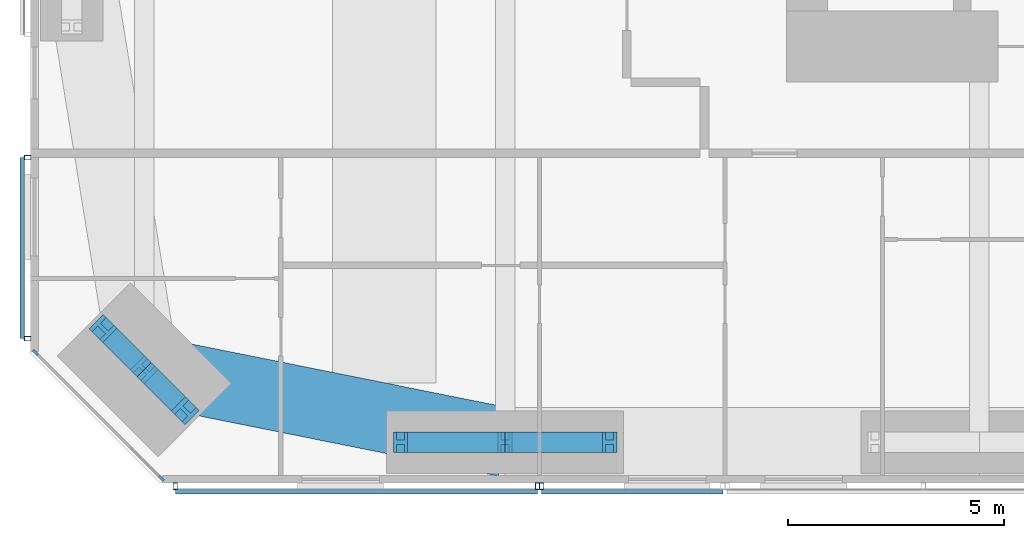
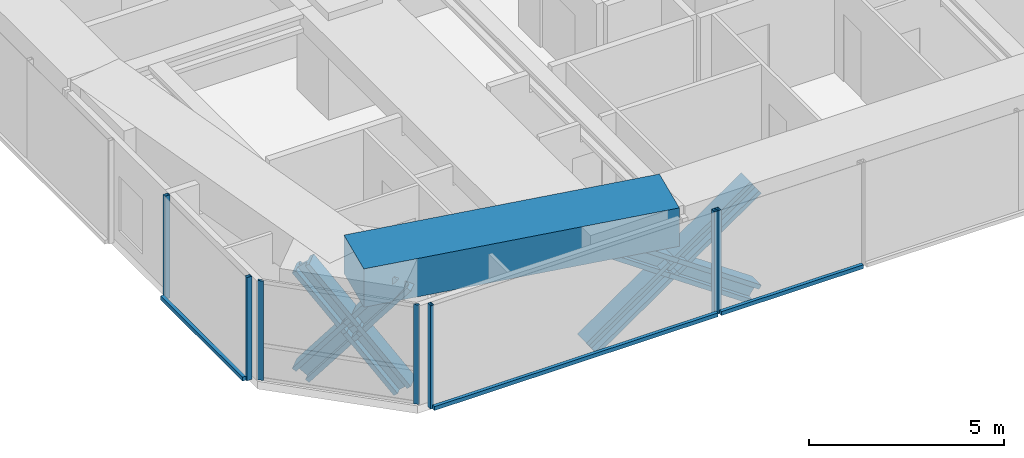
# One storey, part 2 of 24: 18 members, 1 beam, 4 elements without a shape of their own.
"""IFC4 building model written with IfcOpenShell, lengths in metres."""

from ifc_helpers import new_model, si_unit, direction, frame, origin, origin_2d, place, context, subcontext, project, spatial, rectangle, hollow_rectangle, i_section, extrude, material, material_profile, profile_set, type_object, element, aggregate, save


model = new_model("IFC4")

# Units and contexts
model_context = context("Model", 3, precision=1e-05, world=origin(), true_north=direction((0.0, 1.0)))
body_context = subcontext(model_context, "Body", "Model", "MODEL_VIEW")
ifc_project = project(units=[si_unit("LENGTHUNIT", "METRE"), si_unit("AREAUNIT", "SQUARE_METRE"), si_unit("VOLUMEUNIT", "CUBIC_METRE"), si_unit("PLANEANGLEUNIT", "RADIAN"), si_unit("MASSUNIT", "GRAM", prefix="KILO")], contexts=[model_context])

# Site, building, storey
site_placement = place(None, origin())
site = spatial("IfcSite", under=ifc_project, at=site_placement, CompositionType="ELEMENT")
building_placement = place(site_placement, origin())
building = spatial("IfcBuilding", under=site, at=building_placement, Name="Jalousie Tower", CompositionType="ELEMENT")
storey_placement = place(building_placement, frame((0.0, 0.0, 47.800048828125)))
storey = spatial("IfcBuildingStorey", under=building, at=storey_placement, Name="L12", CompositionType="ELEMENT", Elevation=47.800048828125)

# Curtain wall, members
ifc_material_1 = material(Name="Aluminium curtain wall", Category="aluminium")
curtain_wall_type_1 = type_object("IfcCurtainWallType", Name="CORNER WINDOW WALL", PredefinedType="USERDEFINED", material=ifc_material_1)
curtain_wall_1_placement = place(storey_placement, origin())
curtain_wall_1 = element("IfcCurtainWall", 1, at=curtain_wall_1_placement, inside=storey, type_object=curtain_wall_type_1, Name="Corner Window Wall L12 8", ObjectType="CORNER WINDOW WALL", PredefinedType="USERDEFINED")
ifc_material_2 = material(Name="Aluminium mullion", Category="aluminium")
ifc_material_profile_1 = material_profile(ifc_material_2, rectangle(XDim=0.06005859375, YDim=0.14990234375, at=origin_2d()), Name="MULLION 60x150")
ifc_profile_set_1 = profile_set([ifc_material_profile_1], Name="Aluminium mullion")
member_type_1 = type_object("IfcMemberType", Name="CORNER WINDOW WALL MULLION", PredefinedType="MULLION", material=ifc_profile_set_1)
member_1_placement = place(storey_placement, frame((2.108642578125, 3.030029296875, 0.0), z_axis=(0.0, 0.0, 1.0), x_axis=(0.707106781187, 0.707106781187, 0.0)))
member_1 = element("IfcMember", 2, at=member_1_placement, type_object=member_type_1, Name="CW-C mullion 1", PredefinedType="MULLION", context=body_context, shape_type="SweptSolid", body=[
    extrude(rectangle(XDim=0.06005859375, YDim=0.14990234375, at=origin_2d()), origin(), (0.0, 0.0, 1.0), 3.10986328125),
])
member_2_placement = place(storey_placement, frame((5.030029296875, 0.108642578125, 0.0), z_axis=(0.0, 0.0, 1.0), x_axis=(0.707106781187, 0.707106781187, 0.0)))
member_2 = element("IfcMember", 3, at=member_2_placement, type_object=member_type_1, Name="CW-C mullion 2", PredefinedType="MULLION", context=body_context, shape_type="SweptSolid", body=[
    extrude(rectangle(XDim=0.06005859375, YDim=0.14990234375, at=origin_2d()), origin(), (0.0, 0.0, 1.0), 3.10986328125),
])
aggregate(curtain_wall_1, [member_1, member_2])

# Members
ifc_material_3 = material(Name="Steel ASTM A992 Grade 50", Category="steel")
ifc_material_profile_2 = material_profile(ifc_material_3, i_section(OverallWidth=0.472412109375, OverallDepth=0.5791015625, WebThickness=0.094970703125, FlangeThickness=0.1298828125, at=origin_2d()), Name="W14X808")
ifc_profile_set_2 = profile_set([ifc_material_profile_2], Name="Steel ASTM A992 Grade 50")
member_type_2 = type_object("IfcMemberType", Name="PERIMETER BRACE W14X808", PredefinedType="BRACE", material=ifc_profile_set_2)
for number, where, z_axis, x_axis, name in (
    (4, (3.6767578125, 3.5859375, -0.60009765625), (0.443718327034, -0.443718327034, 0.778606506849), (0.707106781187, 0.707106781187, 0.0), "Perimeter brace 01 L12 part 1"),
    (5, (4.63134765625, 2.63134765625, 1.074951171875), (0.443718327034, -0.443718327034, 0.778606506849), (0.707106781187, 0.707106781187, 0.0), "Perimeter brace 01 L12 part 2"),
    (6, (5.5859375, 1.6767578125, -0.60009765625), (-0.443718327034, 0.443718327034, 0.778606506849), (-0.707106781187, -0.707106781187, 0.0), "Perimeter brace 01 L12 part 3"),
    (7, (4.63134765625, 2.63134765625, 1.074951171875), (-0.443718327034, 0.443718327034, 0.778606506849), (-0.707106781187, -0.707106781187, 0.0), "Perimeter brace 01 L12 part 4"),
):
    element("IfcMember", number, at=place(storey_placement, frame(where, z_axis=z_axis, x_axis=x_axis)), inside=storey, type_object=member_type_2, Name=name, PredefinedType="BRACE", context=body_context, shape_type="SweptSolid", body=[
        extrude(i_section(OverallWidth=0.472412109375, OverallDepth=0.5791015625, WebThickness=0.094970703125, FlangeThickness=0.1298828125, at=origin_2d()), origin(), (0.0, 0.0, 1.0), 2.1513671875),
    ])
for number, where, z_axis, x_axis, name in (
    (8, (10.574951171875, 0.949951171875, -0.60009765625), (0.822800062329, 0.0, 0.568330940062), (0.0, 1.0, 0.0), "Perimeter brace 02 L12 part 1"),
    (9, (13.0, 0.949951171875, 1.074951171875), (0.822800062329, 0.0, 0.568330940062), (0.0, 1.0, 0.0), "Perimeter brace 02 L12 part 2"),
    (10, (15.425048828125, 0.949951171875, -0.60009765625), (-0.822800062329, 0.0, 0.568330940062), (0.0, -1.0, 0.0), "Perimeter brace 02 L12 part 3"),
    (11, (13.0, 0.949951171875, 1.074951171875), (-0.822800062329, 0.0, 0.568330940062), (0.0, -1.0, 0.0), "Perimeter brace 02 L12 part 4"),
):
    element("IfcMember", number, at=place(storey_placement, frame(where, z_axis=z_axis, x_axis=x_axis)), inside=storey, type_object=member_type_2, Name=name, PredefinedType="BRACE", context=body_context, shape_type="SweptSolid", body=[
        extrude(i_section(OverallWidth=0.472412109375, OverallDepth=0.5791015625, WebThickness=0.094970703125, FlangeThickness=0.1298828125, at=origin_2d()), origin(), (0.0, 0.0, 1.0), 2.947265625),
    ])

# Beam
ifc_material_4 = material(Name="Concrete f'c 40 MPa", Category="concrete")
ifc_material_profile_3 = material_profile(ifc_material_4, rectangle(XDim=1.60009765625, YDim=1.199951171875, at=origin_2d()), Name="RC 1600x1200")
ifc_profile_set_3 = profile_set([ifc_material_profile_3], Name="Concrete f'c 40 MPa")
beam_type = type_object("IfcBeamType", Name="RC BEAM 1600x1200", PredefinedType="BEAM", material=ifc_profile_set_3)
beam_placement = place(storey_placement, frame((4.63134765625, 2.63134765625, 2.75), z_axis=(0.980407585444, -0.196979609107, 0.0), x_axis=(0.196979609107, 0.980407585444, 0.0)))
element("IfcBeam", 12, at=beam_placement, inside=storey, type_object=beam_type, Name="Edge band beam 01-02 under L13", PredefinedType="BEAM", context=body_context, shape_type="SweptSolid", body=[
    extrude(rectangle(XDim=1.60009765625, YDim=1.199951171875, at=origin_2d()), origin(), (0.0, 0.0, 1.0), 8.535888671875),
])

# Curtain wall, members
ifc_material_5 = material(Name="Perforated aluminium sheet", Category="aluminium")
curtain_wall_type_2 = type_object("IfcCurtainWallType", Name="SOLAR SCREEN SS-1", PredefinedType="USERDEFINED", material=ifc_material_5)
curtain_wall_2_placement = place(storey_placement, origin())
curtain_wall_2 = element("IfcCurtainWall", 13, at=curtain_wall_2_placement, inside=storey, type_object=curtain_wall_type_2, Name="Solar screen L12", ObjectType="SOLAR SCREEN SS-1", PredefinedType="USERDEFINED")
ifc_material_6 = material(Name="Steel ASTM A500 Grade C", Category="steel")
ifc_material_profile_4 = material_profile(ifc_material_6, hollow_rectangle(XDim=0.1015625, YDim=0.15234375, WallThickness=0.00634765625, at=origin_2d()), Name="HSS6X4X1/4")
ifc_profile_set_4 = profile_set([ifc_material_profile_4], Name="Steel ASTM A500 Grade C")
member_type_3 = type_object("IfcMemberType", Name="SOLAR SCREEN SS-1 MULLION", PredefinedType="MULLION", material=ifc_profile_set_4)
member_3_placement = place(storey_placement, frame((5.351318359375, -0.0712890625, -0.1201171875), z_axis=(0.0, 0.0, 1.0), x_axis=(1.0, 0.0, 0.0)))
member_3 = element("IfcMember", 14, at=member_3_placement, type_object=member_type_3, Name="SS1 post 1", PredefinedType="MULLION", context=body_context, shape_type="SweptSolid", body=[
    extrude(hollow_rectangle(XDim=0.1015625, YDim=0.15234375, WallThickness=0.00634765625, at=origin_2d()), origin(), (0.0, 0.0, 1.0), 3.22998046875),
])
member_4_placement = place(storey_placement, frame((13.75, -0.0712890625, -0.1201171875), z_axis=(0.0, 0.0, 1.0), x_axis=(1.0, 0.0, 0.0)))
member_4 = element("IfcMember", 15, at=member_4_placement, type_object=member_type_3, Name="SS1 post 2", PredefinedType="MULLION", context=body_context, shape_type="SweptSolid", body=[
    extrude(hollow_rectangle(XDim=0.1015625, YDim=0.15234375, WallThickness=0.00634765625, at=origin_2d()), origin(), (0.0, 0.0, 1.0), 3.22998046875),
])

# Curtain wall, member
curtain_wall_3_placement = place(storey_placement, origin())
curtain_wall_3 = element("IfcCurtainWall", 16, at=curtain_wall_3_placement, inside=storey, type_object=curtain_wall_type_2, Name="Solar screen L12", ObjectType="SOLAR SCREEN SS-1", PredefinedType="USERDEFINED")
member_5_placement = place(storey_placement, frame((13.85009765625, -0.0712890625, -0.1201171875), z_axis=(0.0, 0.0, 1.0), x_axis=(1.0, 0.0, 0.0)))
member_5 = element("IfcMember", 17, at=member_5_placement, type_object=member_type_3, Name="SS1 post 1", PredefinedType="MULLION", context=body_context, shape_type="SweptSolid", body=[
    extrude(hollow_rectangle(XDim=0.1015625, YDim=0.15234375, WallThickness=0.00634765625, at=origin_2d()), origin(), (0.0, 0.0, 1.0), 3.22998046875),
])

# Curtain wall, members
curtain_wall_4_placement = place(storey_placement, origin())
curtain_wall_4 = element("IfcCurtainWall", 18, at=curtain_wall_4_placement, inside=storey, type_object=curtain_wall_type_2, Name="Solar screen L12", ObjectType="SOLAR SCREEN SS-1", PredefinedType="USERDEFINED")
member_6_placement = place(storey_placement, frame((1.9287109375, 7.550048828125, -0.1201171875), z_axis=(0.0, 0.0, 1.0), x_axis=(0.0, -1.0, 0.0)))
member_6 = element("IfcMember", 19, at=member_6_placement, type_object=member_type_3, Name="SS1 post 1", PredefinedType="MULLION", context=body_context, shape_type="SweptSolid", body=[
    extrude(hollow_rectangle(XDim=0.1015625, YDim=0.15234375, WallThickness=0.00634765625, at=origin_2d()), origin(), (0.0, 0.0, 1.0), 3.22998046875),
])
member_7_placement = place(storey_placement, frame((1.9287109375, 3.351318359375, -0.1201171875), z_axis=(0.0, 0.0, 1.0), x_axis=(0.0, -1.0, 0.0)))
member_7 = element("IfcMember", 20, at=member_7_placement, type_object=member_type_3, Name="SS1 post 2", PredefinedType="MULLION", context=body_context, shape_type="SweptSolid", body=[
    extrude(hollow_rectangle(XDim=0.1015625, YDim=0.15234375, WallThickness=0.00634765625, at=origin_2d()), origin(), (0.0, 0.0, 1.0), 3.22998046875),
])

# Member
ifc_material_7 = material(Name="Extruded aluminium screen rail", Category="aluminium")
ifc_material_profile_5 = material_profile(ifc_material_7, rectangle(XDim=0.1015625, YDim=0.1201171875, at=origin_2d()), Name="RAIL 102x120")
ifc_profile_set_5 = profile_set([ifc_material_profile_5], Name="Extruded aluminium screen rail")
member_type_4 = type_object("IfcMemberType", Name="SOLAR SCREEN SS-1 TRANSOM", PredefinedType="USERDEFINED", material=ifc_profile_set_5)
member_8_placement = place(storey_placement, frame((5.351318359375, -0.1982421875, -0.06005859375), z_axis=(1.0, 0.0, 0.0), x_axis=(0.0, 1.0, 0.0)))
member_8 = element("IfcMember", 21, at=member_8_placement, type_object=member_type_4, Name="SS1 rail", ObjectType="TRANSOM", PredefinedType="USERDEFINED", context=body_context, shape_type="SweptSolid", body=[
    extrude(rectangle(XDim=0.1015625, YDim=0.1201171875, at=origin_2d()), origin(), (0.0, 0.0, 1.0), 8.398681640625),
])

aggregate(curtain_wall_2, [member_3, member_4, member_8])

member_9_placement = place(storey_placement, frame((13.85009765625, -0.1982421875, -0.06005859375), z_axis=(1.0, 0.0, 0.0), x_axis=(0.0, 1.0, 0.0)))
member_9 = element("IfcMember", 22, at=member_9_placement, type_object=member_type_4, Name="SS1 rail", ObjectType="TRANSOM", PredefinedType="USERDEFINED", context=body_context, shape_type="SweptSolid", body=[
    extrude(rectangle(XDim=0.1015625, YDim=0.1201171875, at=origin_2d()), origin(), (0.0, 0.0, 1.0), 4.199951171875),
])

aggregate(curtain_wall_3, [member_5, member_9])

member_10_placement = place(storey_placement, frame((1.8017578125, 7.550048828125, -0.06005859375), z_axis=(0.0, -1.0, 0.0), x_axis=(1.0, 0.0, 0.0)))
member_10 = element("IfcMember", 23, at=member_10_placement, type_object=member_type_4, Name="SS1 rail", ObjectType="TRANSOM", PredefinedType="USERDEFINED", context=body_context, shape_type="SweptSolid", body=[
    extrude(rectangle(XDim=0.1015625, YDim=0.1201171875, at=origin_2d()), origin(), (0.0, 0.0, 1.0), 4.19873046875),
])

aggregate(curtain_wall_4, [member_6, member_7, member_10])

save(model, "model.ifc")
